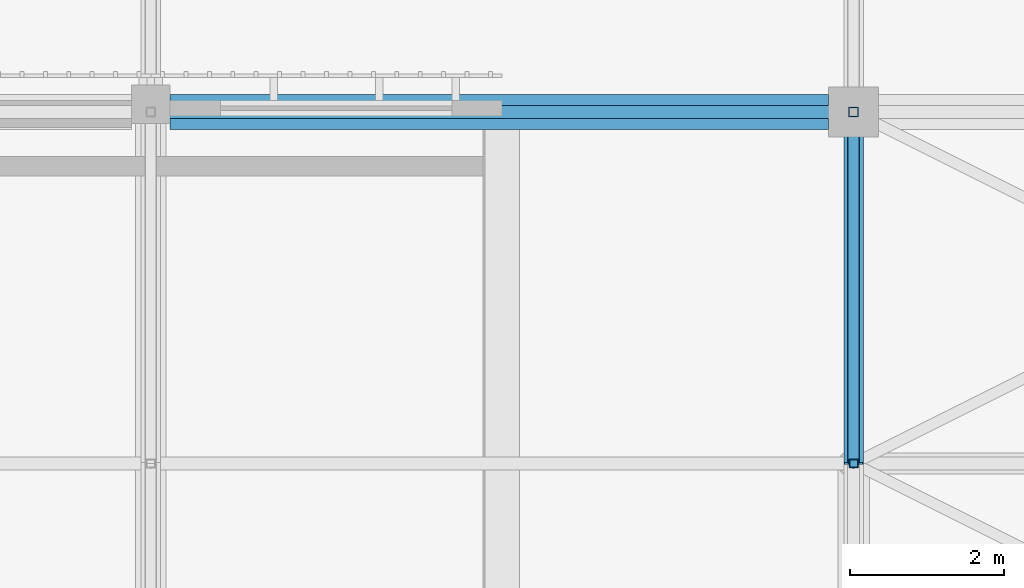
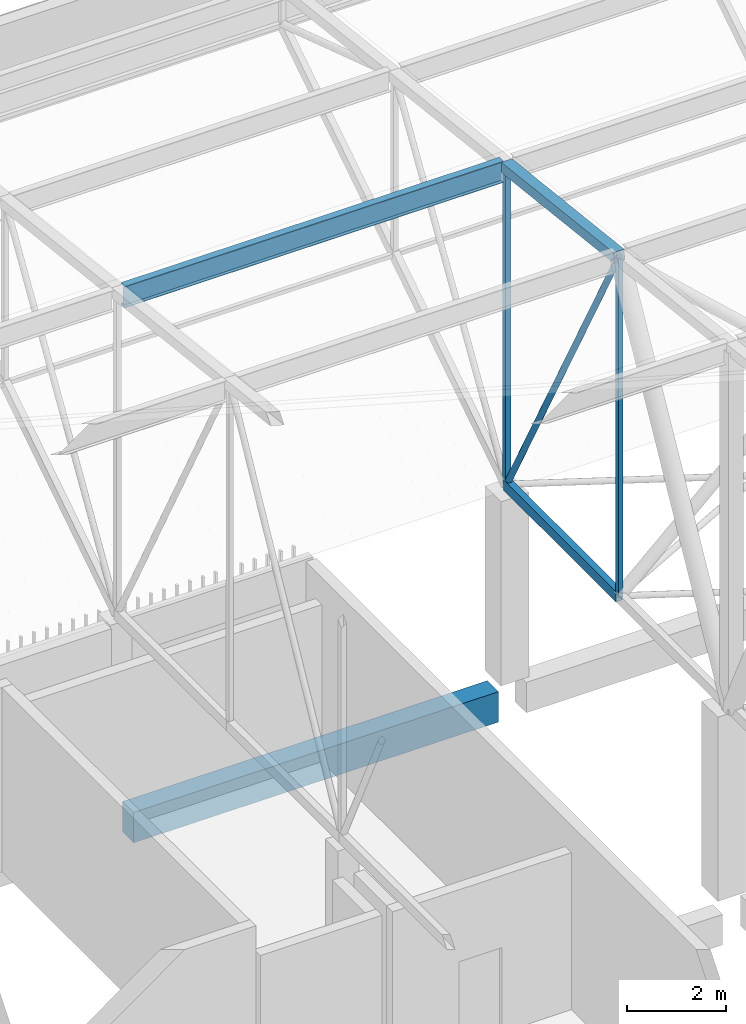
# One storey, part 250 of 500: 6 members, 1 beam.
"""IFC4 building model written with IfcOpenShell, lengths in metres."""

from ifc_helpers import new_model, si_unit, direction, frame, origin, origin_2d, place, context, subcontext, project, spatial, rectangle, hollow_rectangle, hollow_circle, i_section, extrude, material, material_profile, profile_set, type_object, element, save


model = new_model("IFC4")

# Units and contexts
model_context = context("Model", 3, precision=1e-05, world=origin(), true_north=direction((0.0, 1.0)))
body_context = subcontext(model_context, "Body", "Model", "MODEL_VIEW")
ifc_project = project(units=[si_unit("LENGTHUNIT", "METRE"), si_unit("AREAUNIT", "SQUARE_METRE"), si_unit("VOLUMEUNIT", "CUBIC_METRE"), si_unit("PLANEANGLEUNIT", "RADIAN"), si_unit("MASSUNIT", "GRAM", prefix="KILO")], contexts=[model_context])

# Site, building, storey
site_placement = place(None, origin())
site = spatial("IfcSite", under=ifc_project, at=site_placement, CompositionType="ELEMENT")
building_placement = place(site_placement, origin())
building = spatial("IfcBuilding", under=site, at=building_placement, Name="Shirokan Park Arena", CompositionType="ELEMENT")
storey_placement = place(building_placement, frame((0.0, 0.0, 29.1201171875)))
storey = spatial("IfcBuildingStorey", under=building, at=storey_placement, Name="L06", CompositionType="ELEMENT", Elevation=29.1201171875)

# Members
ifc_material_1 = material(Name="Steel ASTM A500 Grade C", Category="steel")
ifc_material_profile_1 = material_profile(ifc_material_1, hollow_rectangle(XDim=0.152099609375, YDim=0.25390625, WallThickness=0.009521484375, at=origin_2d()), Name="HSS254X152.4X9.5")
ifc_profile_set_1 = profile_set([ifc_material_profile_1], Name="Steel ASTM A500 Grade C")
member_type_1 = type_object("IfcMemberType", Name="Bottom chord HSS254X152.4X9.5", PredefinedType="CHORD", material=ifc_profile_set_1)
member_1_placement = place(storey_placement, frame((45.5, 104.64990234375, 4.677001953125), z_axis=(0.0, 1.0, 0.0), x_axis=(-1.0, 0.0, 0.0)))
element("IfcMember", 1, at=member_1_placement, inside=storey, type_object=member_type_1, Name="Truss T06 bottom chord 26", PredefinedType="CHORD", context=body_context, shape_type="SweptSolid", body=[
    extrude(hollow_rectangle(XDim=0.152099609375, YDim=0.25390625, WallThickness=0.009521484375, at=origin_2d()), origin(), (0.0, 0.0, 1.0), 4.550048828125),
])
ifc_material_2 = material(Name="Steel ASTM A992", Category="steel")
ifc_material_profile_2 = material_profile(ifc_material_2, i_section(OverallWidth=0.166015625, OverallDepth=0.528076171875, WebThickness=0.009765625, FlangeThickness=0.013671875, at=origin_2d()), Name="W530X74")
ifc_profile_set_2 = profile_set([ifc_material_profile_2], Name="Steel ASTM A992")
member_type_2 = type_object("IfcMemberType", Name="Purlin W530X74", PredefinedType="PURLIN", material=ifc_profile_set_2)
member_2_placement = place(storey_placement, frame((36.527099609375, 109.199951171875, 12.48583984375), z_axis=(1.0, 0.0, 0.0), x_axis=(0.0, 1.0, 0.0)))
element("IfcMember", 2, at=member_2_placement, inside=storey, type_object=member_type_2, Name="Purlin 27 bay 5", PredefinedType="PURLIN", context=body_context, shape_type="SweptSolid", body=[
    extrude(i_section(OverallWidth=0.166015625, OverallDepth=0.528076171875, WebThickness=0.009765625, FlangeThickness=0.013671875, at=origin_2d()), origin(), (0.0, 0.0, 1.0), 8.845947265625),
])

# Beam
ifc_material_3 = material(Name="Concrete C35", Category="concrete")
ifc_material_profile_3 = material_profile(ifc_material_3, rectangle(XDim=0.449951171875, YDim=0.75, at=origin_2d()), Name="450x750")
ifc_profile_set_3 = profile_set([ifc_material_profile_3], Name="Concrete C35")
beam_type = type_object("IfcBeamType", Name="RC girder 450x750", PredefinedType="BEAM", material=ifc_profile_set_3)
beam_placement = place(storey_placement, frame((36.650146484375, 109.199951171875, -0.5751953125), z_axis=(1.0, 0.0, 0.0), x_axis=(0.0, 1.0, 0.0)))
element("IfcBeam", 3, at=beam_placement, inside=storey, type_object=beam_type, Name="Girder 5N-6N L06", PredefinedType="BEAM", context=body_context, shape_type="SweptSolid", body=[
    extrude(rectangle(XDim=0.449951171875, YDim=0.75, at=origin_2d()), origin(), (0.0, 0.0, 1.0), 8.524658203125),
])

# Members
ifc_material_profile_4 = material_profile(ifc_material_1, hollow_rectangle(XDim=0.25390625, YDim=0.25390625, WallThickness=0.009521484375, at=origin_2d()), Name="HSS254X254X9.5")
ifc_profile_set_4 = profile_set([ifc_material_profile_4], Name="Steel ASTM A500 Grade C")
member_type_3 = type_object("IfcMemberType", Name="Top chord HSS254X254X9.5", PredefinedType="CHORD", material=ifc_profile_set_4)
member_3_placement = place(storey_placement, frame((45.5, 104.64990234375, 13.061279296875), z_axis=(0.0, 0.993538341779, -0.113496975353), x_axis=(-1.0, 0.0, 0.0)))
element("IfcMember", 4, at=member_3_placement, inside=storey, type_object=member_type_3, Name="Truss T06 top chord 26", PredefinedType="CHORD", context=body_context, shape_type="SweptSolid", body=[
    extrude(hollow_rectangle(XDim=0.25390625, YDim=0.25390625, WallThickness=0.009521484375, at=origin_2d()), origin(), (0.0, 0.0, 1.0), 4.57958984375),
])
ifc_material_profile_5 = material_profile(ifc_material_1, hollow_circle(Radius=0.070556640625, WallThickness=0.006591796875, at=origin_2d()), Name="HSS141.3X6.6")
ifc_profile_set_5 = profile_set([ifc_material_profile_5], Name="Steel ASTM A500 Grade C")
member_type_4 = type_object("IfcMemberType", Name="Truss diagonal HSS141.3X6.6", PredefinedType="BRACE", material=ifc_profile_set_5)
member_4_placement = place(storey_placement, frame((45.5, 104.64990234375, 13.061279296875), z_axis=(0.0, 0.476977206611, -0.878915663971), x_axis=(-1.0, 0.0, 0.0)))
element("IfcMember", 5, at=member_4_placement, inside=storey, type_object=member_type_4, Name="Truss T06 diagonal 26", PredefinedType="BRACE", context=body_context, shape_type="SweptSolid", body=[
    extrude(hollow_circle(Radius=0.070556640625, WallThickness=0.006591796875, at=origin_2d()), origin(), (0.0, 0.0, 1.0), 9.539306640625),
])
ifc_material_profile_6 = material_profile(ifc_material_1, hollow_rectangle(XDim=0.114013671875, YDim=0.114013671875, WallThickness=0.00634765625, at=origin_2d()), Name="HSS114.3X114.3X6.4")
ifc_profile_set_6 = profile_set([ifc_material_profile_6], Name="Steel ASTM A500 Grade C")
member_type_5 = type_object("IfcMemberType", Name="Truss post HSS114.3X114.3X6.4", PredefinedType="POST", material=ifc_profile_set_6)
member_5_placement = place(storey_placement, frame((45.5, 104.64990234375, 4.677001953125), z_axis=(0.0, 0.0, 1.0), x_axis=(1.0, 0.0, 0.0)))
element("IfcMember", 6, at=member_5_placement, inside=storey, type_object=member_type_5, Name="Truss T06 post 26", PredefinedType="POST", context=body_context, shape_type="SweptSolid", body=[
    extrude(hollow_rectangle(XDim=0.114013671875, YDim=0.114013671875, WallThickness=0.00634765625, at=origin_2d()), origin(), (0.0, 0.0, 1.0), 8.38427734375),
])
ifc_material_profile_7 = material_profile(ifc_material_1, hollow_rectangle(XDim=0.126953125, YDim=0.126953125, WallThickness=0.0126953125, at=origin_2d()), Name="HSS127X127X12.7")
ifc_profile_set_7 = profile_set([ifc_material_profile_7], Name="Steel ASTM A500 Grade C")
member_type_6 = type_object("IfcMemberType", Name="Truss post HSS127X127X12.7", PredefinedType="POST", material=ifc_profile_set_7)
member_6_placement = place(storey_placement, frame((45.5, 109.199951171875, 4.677001953125), z_axis=(0.0, 0.0, 1.0), x_axis=(1.0, 0.0, 0.0)))
element("IfcMember", 7, at=member_6_placement, inside=storey, type_object=member_type_6, Name="Truss T06 post 27", PredefinedType="POST", context=body_context, shape_type="SweptSolid", body=[
    extrude(hollow_rectangle(XDim=0.126953125, YDim=0.126953125, WallThickness=0.0126953125, at=origin_2d()), origin(), (0.0, 0.0, 1.0), 7.864501953125),
])

save(model, "model.ifc")
